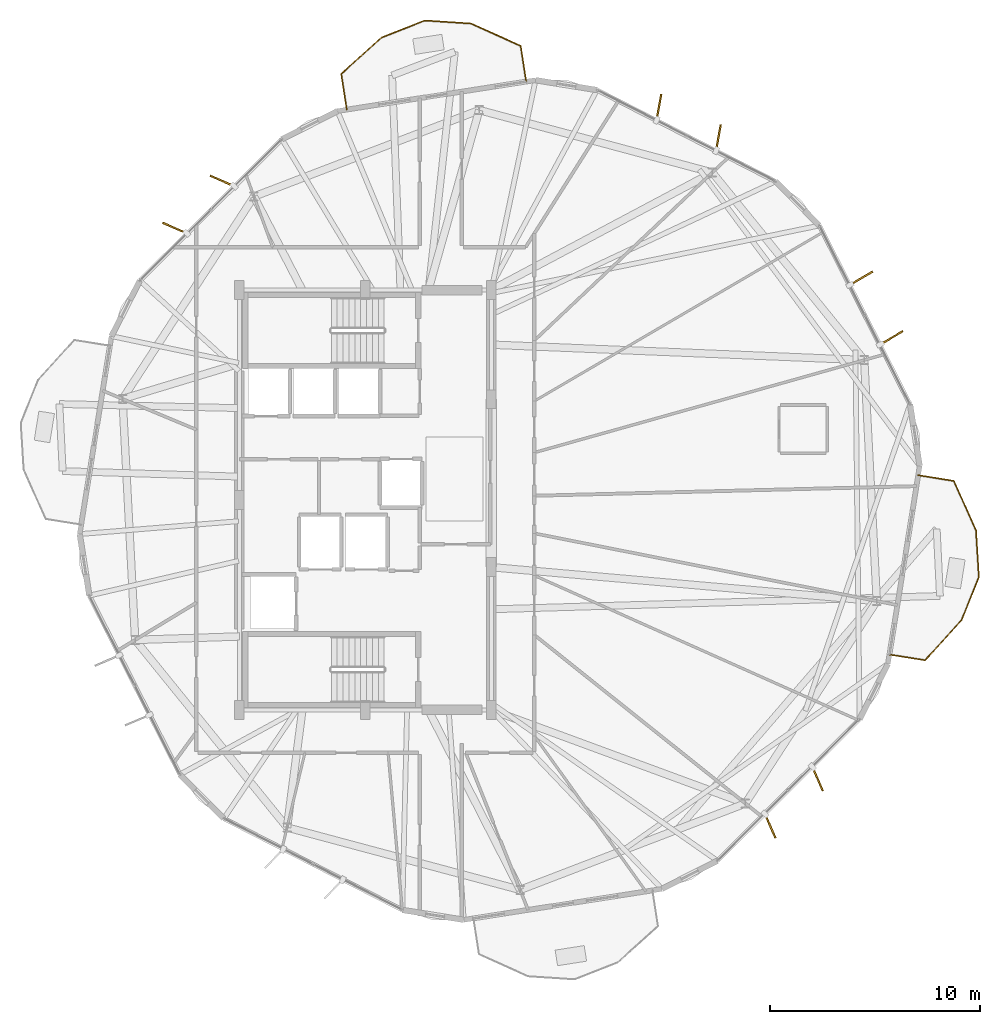
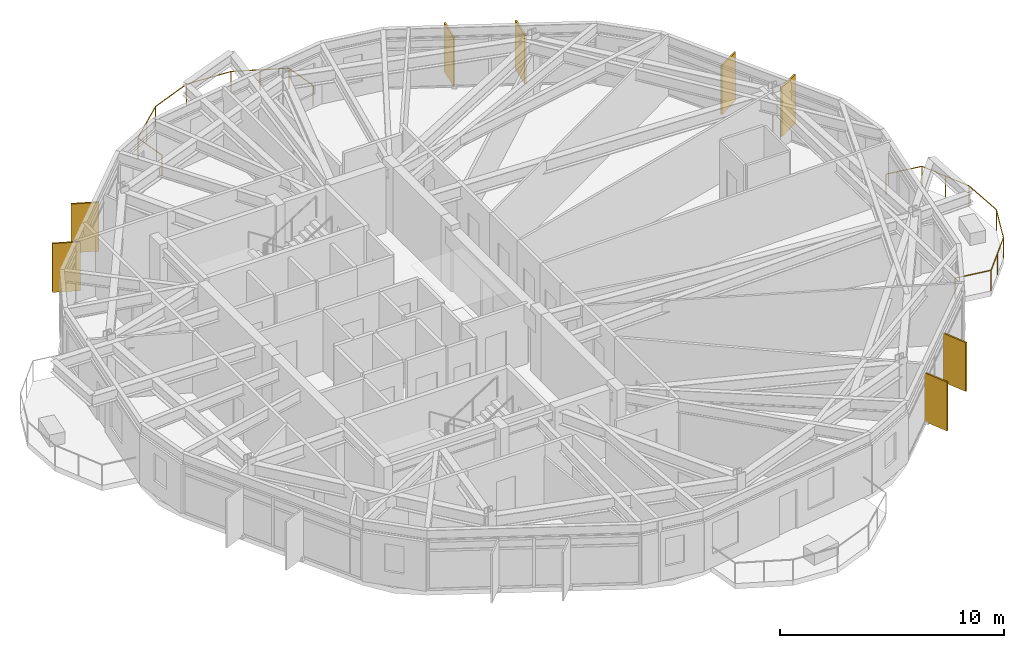
# One storey, part 27 of 27: 8 shading devices, 2 railings.
"""IFC4 building model written with IfcOpenShell, lengths in metres."""

from ifc_helpers import new_model, si_unit, direction, frame, origin, origin_2d, place, context, subcontext, project, spatial, rectangle, circle, extrude, material, layer, layer_set, type_object, element, save


model = new_model("IFC4")

# Units and contexts
model_context = context("Model", 3, precision=1e-05, world=origin(), true_north=direction((0.0, 1.0)))
body_context = subcontext(model_context, "Body", "Model", "MODEL_VIEW")
ifc_project = project(units=[si_unit("LENGTHUNIT", "METRE"), si_unit("AREAUNIT", "SQUARE_METRE"), si_unit("VOLUMEUNIT", "CUBIC_METRE"), si_unit("PLANEANGLEUNIT", "RADIAN"), si_unit("MASSUNIT", "GRAM", prefix="KILO")], contexts=[model_context])

# Site, building, storey
site_placement = place(None, origin())
site = spatial("IfcSite", under=ifc_project, at=site_placement, CompositionType="ELEMENT")
building_placement = place(site_placement, origin())
building = spatial("IfcBuilding", under=site, at=building_placement, Name="Soratama Intermodal Tower", CompositionType="ELEMENT")
storey_placement = place(building_placement, frame((0.0, 0.0, 197.800048828125)))
storey = spatial("IfcBuildingStorey", under=building, at=storey_placement, Name="L49", CompositionType="ELEMENT", Elevation=197.800048828125)

# Railings
ifc_material_1 = material(Name="Laminated glass and stainless steel balustrade", Category="steel")
railing_type = type_object("IfcRailingType", Name="RL-BAL-1150", PredefinedType="BALUSTRADE", material=ifc_material_1)
railing_1_placement = place(storey_placement, frame((64.938720703125, 26.180908203125, 0.0)))
element("IfcRailing", 1, at=railing_1_placement, inside=storey, type_object=railing_type, Name="L49 Balcony Balustrade 1", PredefinedType="BALUSTRADE", context=body_context, shape_type="SweptSolid", body=[
    extrude(circle(Radius=0.02392578125, at=origin_2d()), frame((0.0, 0.0, 1.1259765625), z_axis=(0.987351012286, -0.158549609075, 0.0), x_axis=(0.158549609075, 0.987351012286, 0.0)), (0.0, 0.0, 1.0), 1.719970703125),
    extrude(circle(Radius=0.02392578125, at=origin_2d()), frame((1.6982421875, -0.272705078125, 1.1259765625), z_axis=(0.407916610686, -0.913019188586, 0.0), x_axis=(0.913019188586, 0.407916610686, 0.0)), (0.0, 0.0, 1.0), 2.5849609375),
    extrude(circle(Radius=0.02392578125, at=origin_2d()), frame((2.752685546875, -2.6328125, 1.1259765625), z_axis=(0.061342936012, -0.998116748783, 0.0), x_axis=(0.998116748783, 0.061342936012, 0.0)), (0.0, 0.0, 1.0), 2.216796875),
    extrude(circle(Radius=0.02392578125, at=origin_2d()), frame((2.888671875, -4.845458984375, 1.1259765625), z_axis=(-0.370611989063, -0.928787787152, 0.0), x_axis=(0.928787787152, -0.370611989063, 0.0)), (0.0, 0.0, 1.0), 2.216796875),
    extrude(circle(Radius=0.02392578125, at=origin_2d()), frame((2.067138671875, -6.904296875, 1.1259765625), z_axis=(-0.67318031313, -0.739478374271, 0.0), x_axis=(0.739478374271, -0.67318031313, 0.0)), (0.0, 0.0, 1.0), 2.585205078125),
    extrude(circle(Radius=0.02392578125, at=origin_2d()), frame((0.326904296875, -8.81591796875, 1.1259765625), z_axis=(-0.987351012286, 0.158549609075, 0.0), x_axis=(-0.158549609075, -0.987351012286, 0.0)), (0.0, 0.0, 1.0), 1.719970703125),
    extrude(circle(Radius=0.02099609375, at=origin_2d()), origin(), (0.0, 0.0, 1.0), 1.101806640625),
    extrude(circle(Radius=0.02099609375, at=origin_2d()), frame((1.6982421875, -0.272705078125, 0.0)), (0.0, 0.0, 1.0), 1.101806640625),
    extrude(circle(Radius=0.02099609375, at=origin_2d()), frame((2.2255859375, -1.45263671875, 0.0)), (0.0, 0.0, 1.0), 1.101806640625),
    extrude(circle(Radius=0.02099609375, at=origin_2d()), frame((2.752685546875, -2.6328125, 0.0)), (0.0, 0.0, 1.0), 1.101806640625),
    extrude(circle(Radius=0.02099609375, at=origin_2d()), frame((2.888671875, -4.845458984375, 0.0)), (0.0, 0.0, 1.0), 1.101806640625),
    extrude(circle(Radius=0.02099609375, at=origin_2d()), frame((2.067138671875, -6.904296875, 0.0)), (0.0, 0.0, 1.0), 1.101806640625),
    extrude(circle(Radius=0.02099609375, at=origin_2d()), frame((1.197021484375, -7.860107421875, 0.0)), (0.0, 0.0, 1.0), 1.101806640625),
    extrude(circle(Radius=0.02099609375, at=origin_2d()), frame((0.326904296875, -8.81591796875, 0.0)), (0.0, 0.0, 1.0), 1.101806640625),
    extrude(circle(Radius=0.02099609375, at=origin_2d()), frame((-1.371337890625, -8.543212890625, 0.0)), (0.0, 0.0, 1.0), 1.101806640625),
])
railing_2_placement = place(storey_placement, frame((37.715576171875, 43.59814453125, 0.0)))
element("IfcRailing", 2, at=railing_2_placement, inside=storey, type_object=railing_type, Name="L49 Balcony Balustrade 2", PredefinedType="BALUSTRADE", context=body_context, shape_type="SweptSolid", body=[
    extrude(circle(Radius=0.02392578125, at=origin_2d()), frame((0.0, 0.0, 1.1259765625), z_axis=(-0.154307592819, 0.988022857427, 0.0), x_axis=(-0.988022857427, -0.154307592819, 0.0)), (0.0, 0.0, 1.0), 1.7197265625),
    extrude(circle(Radius=0.02392578125, at=origin_2d()), frame((-0.265380859375, 1.69921875, 1.1259765625), z_axis=(0.742264778872, 0.670106706463, 0.0), x_axis=(-0.670106706463, 0.742264778872, 0.0)), (0.0, 0.0, 1.0), 2.5849609375),
    extrude(circle(Radius=0.02392578125, at=origin_2d()), frame((1.6533203125, 3.431396484375, 1.1259765625), z_axis=(0.930318452556, 0.366752746184, 0.0), x_axis=(-0.366752746184, 0.930318452556, 0.0)), (0.0, 0.0, 1.0), 2.216796875),
    extrude(circle(Radius=0.02392578125, at=origin_2d()), frame((3.715576171875, 4.244384765625, 1.1259765625), z_axis=(0.997857656333, -0.065422455614, 0.0), x_axis=(0.065422455614, 0.997857656333, 0.0)), (0.0, 0.0, 1.0), 2.216552734375),
    extrude(circle(Radius=0.02392578125, at=origin_2d()), frame((5.927490234375, 4.099365234375, 1.1259765625), z_axis=(0.911286013836, -0.411773968321, 0.0), x_axis=(0.411773968321, 0.911286013836, 0.0)), (0.0, 0.0, 1.0), 2.5849609375),
    extrude(circle(Radius=0.02392578125, at=origin_2d()), frame((8.283203125, 3.034912109375, 1.1259765625), z_axis=(0.154424507234, -0.988004590863, 0.0), x_axis=(0.988004590863, 0.154424507234, 0.0)), (0.0, 0.0, 1.0), 1.72021484375),
    extrude(circle(Radius=0.02099609375, at=origin_2d()), origin(), (0.0, 0.0, 1.0), 1.101806640625),
    extrude(circle(Radius=0.02099609375, at=origin_2d()), frame((-0.265380859375, 1.69921875, 0.0)), (0.0, 0.0, 1.0), 1.101806640625),
    extrude(circle(Radius=0.02099609375, at=origin_2d()), frame((0.69384765625, 2.5654296875, 0.0)), (0.0, 0.0, 1.0), 1.101806640625),
    extrude(circle(Radius=0.02099609375, at=origin_2d()), frame((1.6533203125, 3.431396484375, 0.0)), (0.0, 0.0, 1.0), 1.101806640625),
    extrude(circle(Radius=0.02099609375, at=origin_2d()), frame((3.715576171875, 4.244384765625, 0.0)), (0.0, 0.0, 1.0), 1.101806640625),
    extrude(circle(Radius=0.02099609375, at=origin_2d()), frame((5.927490234375, 4.099365234375, 0.0)), (0.0, 0.0, 1.0), 1.101806640625),
    extrude(circle(Radius=0.02099609375, at=origin_2d()), frame((7.10546875, 3.567138671875, 0.0)), (0.0, 0.0, 1.0), 1.101806640625),
    extrude(circle(Radius=0.02099609375, at=origin_2d()), frame((8.283203125, 3.034912109375, 0.0)), (0.0, 0.0, 1.0), 1.101806640625),
    extrude(circle(Radius=0.02099609375, at=origin_2d()), frame((8.548828125, 1.33544921875, 0.0)), (0.0, 0.0, 1.0), 1.101806640625),
])

# Shading devices
ifc_material_2 = material(Name="Champagne anodised aluminium solar fin", Category="aluminium")
ifc_layer = layer(ifc_material_2, 0.080078125)
ifc_layer_set = layer_set([ifc_layer], Name="Champagne anodised aluminium solar fin")
shading_device_type = type_object("IfcShadingDeviceType", Name="SH-FIN-1250", PredefinedType="USERDEFINED", material=ifc_layer_set)
for number, where, z_axis, x_axis, name in (
    (3, (55.419677734375, 42.264892578125, 0.02001953125), (0.0, 0.0, 1.0), (0.176225800308, 0.984349768784, 0.0), "L49 Solar Fin F01-1"),
    (4, (52.585693359375, 43.71630859375, 0.02001953125), (0.0, 0.0, 1.0), (0.176225800308, 0.984349768784, 0.0), "L49 Solar Fin F01-2"),
    (5, (31.7783203125, 40.2001953125, 0.02001953125), (0.0, 0.0, 1.0), (-0.915381757736, 0.402586931735, 0.0), "L49 Solar Fin F03-1"),
    (6, (29.522216796875, 37.953369140625, 0.02001953125), (0.0, 0.0, 1.0), (-0.915381757736, 0.402586931735, 0.0), "L49 Solar Fin F03-2"),
    (7, (57.888427734375, 9.468017578125, 0.02001953125), (0.0, 0.0, 1.0), (0.398749068925, -0.917060074385, 0.0), "L49 Solar Fin F08-1"),
    (8, (60.144775390625, 11.714599609375, 0.02001953125), (0.0, 0.0, 1.0), (0.398749068925, -0.917060074385, 0.0), "L49 Solar Fin F08-2"),
    (9, (63.66748046875, 32.724853515625, 0.02001953125), (0.0, 0.0, 1.0), (0.860475375565, 0.509492029423, 0.0), "L49 Solar Fin F10-1"),
    (10, (62.22802734375, 35.56494140625, 0.02001953125), (0.0, 0.0, 1.0), (0.860475375565, 0.509492029423, 0.0), "L49 Solar Fin F10-2"),
):
    element("IfcShadingDevice", number, at=place(storey_placement, frame(where, z_axis=z_axis, x_axis=x_axis)), inside=storey, type_object=shading_device_type, Name=name, ObjectType="FIN", PredefinedType="USERDEFINED", context=body_context, shape_type="SweptSolid", body=[
        extrude(rectangle(XDim=1.25, YDim=0.080078125, at=origin_2d()), origin(), (0.0, 0.0, 1.0), 2.658935546875),
    ])

save(model, "model.ifc")
